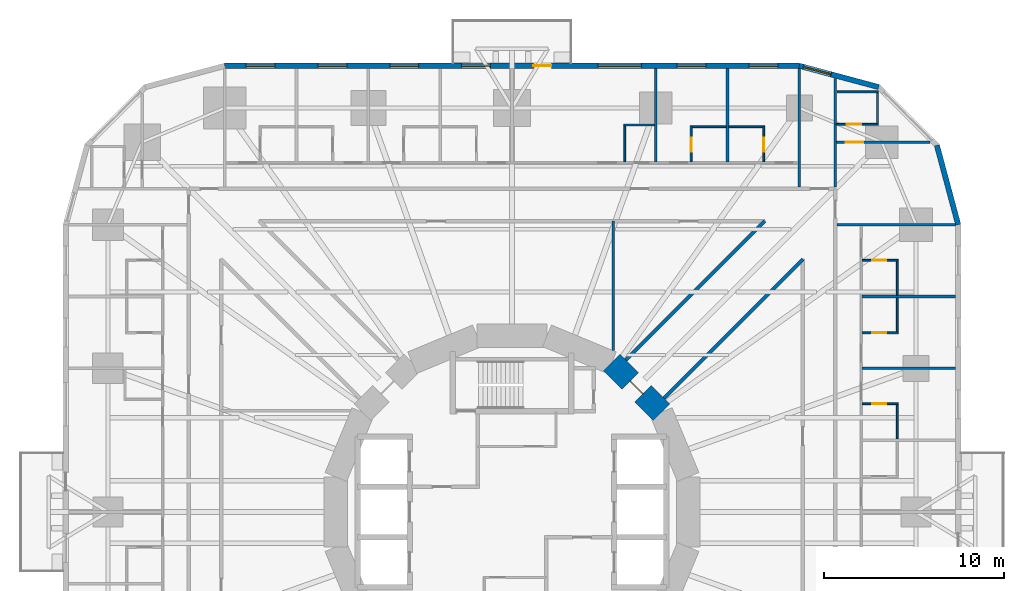
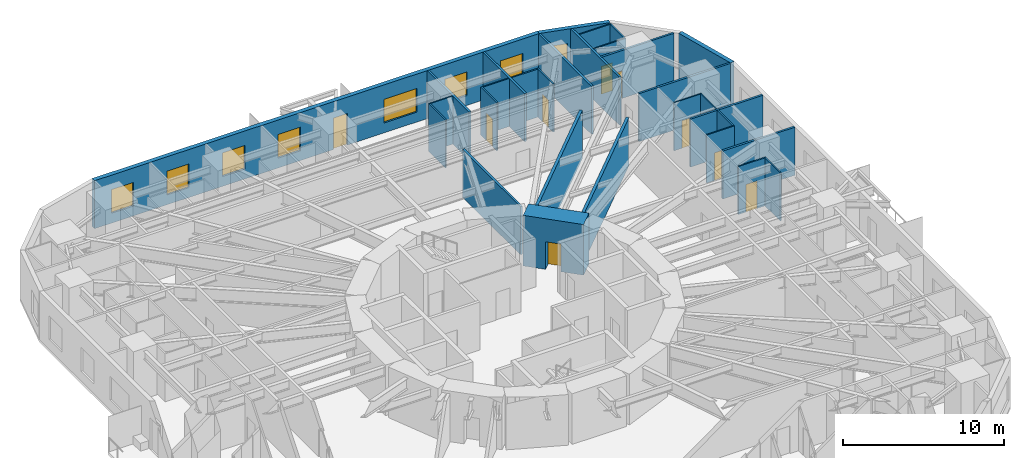
# One storey, part 11 of 14: 30 walls, 9 doors, 8 windows, 17 openings.
"""IFC4 building model written with IfcOpenShell, lengths in metres."""

from ifc_helpers import new_model, si_unit, direction, frame, frame_2d, origin, place, context, subcontext, project, spatial, rectangle, extrude, material, layer, layer_set, type_object, element, fill, save


model = new_model("IFC4")

# Units and contexts
model_context = context("Model", 3, precision=1e-05, world=origin(), true_north=direction((0.0, 1.0)))
body_context = subcontext(model_context, "Body", "Model", "MODEL_VIEW")
ifc_project = project(units=[si_unit("LENGTHUNIT", "METRE"), si_unit("AREAUNIT", "SQUARE_METRE"), si_unit("VOLUMEUNIT", "CUBIC_METRE"), si_unit("PLANEANGLEUNIT", "RADIAN"), si_unit("MASSUNIT", "GRAM", prefix="KILO")], contexts=[model_context])

# Site, building, storey
site_placement = place(None, origin())
site = spatial("IfcSite", under=ifc_project, at=site_placement, CompositionType="ELEMENT")
building_placement = place(site_placement, origin())
building = spatial("IfcBuilding", under=site, at=building_placement, Name="Nakasero Lantern House", CompositionType="ELEMENT")
storey_placement = place(building_placement, frame((0.0, 0.0, 31.39990234375)))
storey = spatial("IfcBuildingStorey", under=building, at=storey_placement, Name="L07", CompositionType="ELEMENT", Elevation=31.39990234375)

# Wall, opening, door
ifc_material_1 = material(Name="Concrete C50/60", Category="concrete")
ifc_layer_1 = layer(ifc_material_1, 1.300048828125)
ifc_layer_set_1 = layer_set([ifc_layer_1], Name="Core wall 1300")
wall_type_1 = type_object("IfcWallType", Name="Core wall 1300", PredefinedType="SHEAR", material=ifc_layer_set_1)
wall_1_placement = place(storey_placement, frame((8.314697265625, 5.5556640625, 0.0), z_axis=(0.0, 0.0, 1.0), x_axis=(-0.707106781187, 0.707106781187, 0.0)))
wall_1 = element("IfcWall", 1, at=wall_1_placement, inside=storey, type_object=wall_type_1, Name="Core wall L07 facet 2", PredefinedType="SHEAR", context=body_context, shape_type="SweptSolid", body=[
    extrude(rectangle(XDim=3.90185546875, YDim=1.300048828125, at=frame_2d((1.950927734375, 0.0))), origin(), (0.0, 0.0, 1.0), 3.85009765625),
])
opening_1_placement = place(wall_1_placement, frame((1.450927734375, 0.0, 0.0)))
opening_1 = element("IfcOpeningElement", 2, at=opening_1_placement, cuts=wall_1, Name="Opening D05", PredefinedType="OPENING", context=body_context, shape_type="SweptSolid", body=[
    extrude(rectangle(XDim=1.0, YDim=2.10009765625, at=frame_2d((0.5, 1.050048828125))), frame((0.0, 0.669921875, 0.0), z_axis=(0.0, -1.0, 0.0), x_axis=(1.0, 0.0, 0.0)), (0.0, 0.0, 1.0), 1.340087890625),
])
ifc_material_2 = material(Name="Timber C24", Category="wood")
door_type_1 = type_object("IfcDoorType", Name="Core door FD60S 1000", OperationType="SINGLE_SWING_LEFT", PredefinedType="DOOR", material=ifc_material_2)
door_1_placement = place(opening_1_placement, origin())
door_1 = element("IfcDoor", 3, at=door_1_placement, inside=storey, type_object=door_type_1, Name="Door L07 D-CORE02", OperationType="SINGLE_SWING_LEFT", OverallHeight=2.10009765625, OverallWidth=1.0, PredefinedType="DOOR", context=body_context, shape_type="SweptSolid", body=[
    extrude(rectangle(XDim=1.0, YDim=2.10009765625, at=frame_2d((0.5, 1.050048828125))), frame((0.0, 0.02490234375, 0.0), z_axis=(0.0, -1.0, 0.0), x_axis=(1.0, 0.0, 0.0)), (0.0, 0.0, 1.0), 0.050048828125),
])
fill(opening_1, door_1)

# Walls
ifc_material_3 = material(Name="Blockwork", Category="masonry")
ifc_layer_2 = layer(ifc_material_3, 0.199951171875)
ifc_layer_set_2 = layer_set([ifc_layer_2], Name="Corridor wall 200")
wall_type_2 = type_object("IfcWallType", Name="Corridor wall 200", PredefinedType="PARTITIONING", material=ifc_layer_set_2)
for number, where, z_axis, x_axis, name in (
    (4, (6.334228515625, 8.45556640625, 0.0), (0.0, 0.0, 1.0), (0.707106781187, 0.707106781187, 0.0), "Corridor wall L07 PS02a"),
    (5, (8.45556640625, 6.334228515625, 0.0), (0.0, 0.0, 1.0), (0.707106781187, 0.707106781187, 0.0), "Corridor wall L07 PS02b"),
):
    element("IfcWall", number, at=place(storey_placement, frame(where, z_axis=z_axis, x_axis=x_axis)), inside=storey, type_object=wall_type_2, Name=name, PredefinedType="PARTITIONING", context=body_context, shape_type="SweptSolid", body=[
        extrude(rectangle(XDim=10.9521484375, YDim=0.199951171875, at=frame_2d((5.47607421875, 0.0))), origin(), (0.0, 0.0, 1.0), 3.650146484375),
    ])

# Wall, opening, door
ifc_material_4 = material(Name="Blockwork", Category="masonry")
ifc_layer_3 = layer(ifc_material_4, 0.10009765625)
ifc_layer_set_3 = layer_set([ifc_layer_3], Name="En-suite wall 100")
wall_type_3 = type_object("IfcWallType", Name="En-suite wall 100", PredefinedType="PARTITIONING", material=ifc_layer_set_3)
wall_2_placement = place(storey_placement, frame((19.5, 6.02490234375, 0.0), z_axis=(0.0, 0.0, 1.0), x_axis=(1.0, 0.0, 0.0)))
wall_2 = element("IfcWall", 6, at=wall_2_placement, inside=storey, type_object=wall_type_3, Name="En-suite wall L07 ES0-06", PredefinedType="PARTITIONING", context=body_context, shape_type="SweptSolid", body=[
    extrude(rectangle(XDim=2.0, YDim=0.10009765625, at=frame_2d((1.0, 0.0))), origin(), (0.0, 0.0, 1.0), 3.650146484375),
])
opening_2_placement = place(wall_2_placement, frame((0.550048828125, 0.0, 0.0)))
opening_2 = element("IfcOpeningElement", 7, at=opening_2_placement, cuts=wall_2, Name="Opening D02", PredefinedType="OPENING", context=body_context, shape_type="SweptSolid", body=[
    extrude(rectangle(XDim=0.800048828125, YDim=2.10009765625, at=frame_2d((0.39990234375, 1.050048828125))), frame((0.0, 0.070068359375, 0.0), z_axis=(0.0, -1.0, 0.0), x_axis=(1.0, 0.0, 0.0)), (0.0, 0.0, 1.0), 0.14013671875),
])
ifc_material_5 = material(Name="Timber C24", Category="wood")
door_type_2 = type_object("IfcDoorType", Name="En-suite door 800", OperationType="SINGLE_SWING_RIGHT", PredefinedType="DOOR", material=ifc_material_5)
door_2_placement = place(opening_2_placement, origin())
door_2 = element("IfcDoor", 8, at=door_2_placement, inside=storey, type_object=door_type_2, Name="Door L07 DE0-06", OperationType="SINGLE_SWING_LEFT", OverallHeight=2.10009765625, OverallWidth=0.800048828125, PredefinedType="DOOR", context=body_context, shape_type="SweptSolid", body=[
    extrude(rectangle(XDim=0.800048828125, YDim=2.10009765625, at=frame_2d((0.39990234375, 1.050048828125))), frame((0.0, 0.02490234375, 0.0), z_axis=(0.0, -1.0, 0.0), x_axis=(1.0, 0.0, 0.0)), (0.0, 0.0, 1.0), 0.050048828125),
])
fill(opening_2, door_2)

# Wall
wall_3_placement = place(storey_placement, frame((21.449951171875, 4.074951171875, 0.0), z_axis=(0.0, 0.0, 1.0), x_axis=(0.0, 1.0, 0.0)))
element("IfcWall", 9, at=wall_3_placement, inside=storey, type_object=wall_type_3, Name="En-suite wall L07 EE0-06", PredefinedType="PARTITIONING", context=body_context, shape_type="SweptSolid", body=[
    extrude(rectangle(XDim=1.900146484375, YDim=0.10009765625, at=frame_2d((0.9501953125, 0.0))), origin(), (0.0, 0.0, 1.0), 3.650146484375),
])

# Wall, opening, door
wall_4_placement = place(storey_placement, frame((19.5, 9.97509765625, 0.0), z_axis=(0.0, 0.0, 1.0), x_axis=(1.0, 0.0, 0.0)))
wall_4 = element("IfcWall", 10, at=wall_4_placement, inside=storey, type_object=wall_type_3, Name="En-suite wall L07 ES0-07", PredefinedType="PARTITIONING", context=body_context, shape_type="SweptSolid", body=[
    extrude(rectangle(XDim=2.0, YDim=0.10009765625, at=frame_2d((1.0, 0.0))), origin(), (0.0, 0.0, 1.0), 3.650146484375),
])
opening_3_placement = place(wall_4_placement, frame((0.550048828125, 0.0, 0.0)))
opening_3 = element("IfcOpeningElement", 11, at=opening_3_placement, cuts=wall_4, Name="Opening D02", PredefinedType="OPENING", context=body_context, shape_type="SweptSolid", body=[
    extrude(rectangle(XDim=0.800048828125, YDim=2.10009765625, at=frame_2d((0.39990234375, 1.050048828125))), frame((0.0, 0.070068359375, 0.0), z_axis=(0.0, -1.0, 0.0), x_axis=(1.0, 0.0, 0.0)), (0.0, 0.0, 1.0), 0.14013671875),
])
door_3_placement = place(opening_3_placement, origin())
door_3 = element("IfcDoor", 12, at=door_3_placement, inside=storey, type_object=door_type_2, Name="Door L07 DE0-07", OperationType="SINGLE_SWING_LEFT", OverallHeight=2.10009765625, OverallWidth=0.800048828125, PredefinedType="DOOR", context=body_context, shape_type="SweptSolid", body=[
    extrude(rectangle(XDim=0.800048828125, YDim=2.10009765625, at=frame_2d((0.39990234375, 1.050048828125))), frame((0.0, 0.02490234375, 0.0), z_axis=(0.0, -1.0, 0.0), x_axis=(1.0, 0.0, 0.0)), (0.0, 0.0, 1.0), 0.050048828125),
])
fill(opening_3, door_3)

# Wall
wall_5_placement = place(storey_placement, frame((21.449951171875, 10.02490234375, 0.0), z_axis=(0.0, 0.0, 1.0), x_axis=(0.0, 1.0, 0.0)))
element("IfcWall", 13, at=wall_5_placement, inside=storey, type_object=wall_type_3, Name="En-suite wall L07 EE0-07", PredefinedType="PARTITIONING", context=body_context, shape_type="SweptSolid", body=[
    extrude(rectangle(XDim=1.900146484375, YDim=0.10009765625, at=frame_2d((0.9501953125, 0.0))), origin(), (0.0, 0.0, 1.0), 3.650146484375),
])

# Wall, opening, door
wall_6_placement = place(storey_placement, frame((19.5, 14.02490234375, 0.0), z_axis=(0.0, 0.0, 1.0), x_axis=(1.0, 0.0, 0.0)))
wall_6 = element("IfcWall", 14, at=wall_6_placement, inside=storey, type_object=wall_type_3, Name="En-suite wall L07 ES0-08", PredefinedType="PARTITIONING", context=body_context, shape_type="SweptSolid", body=[
    extrude(rectangle(XDim=2.0, YDim=0.10009765625, at=frame_2d((1.0, 0.0))), origin(), (0.0, 0.0, 1.0), 3.650146484375),
])
opening_4_placement = place(wall_6_placement, frame((0.550048828125, 0.0, 0.0)))
opening_4 = element("IfcOpeningElement", 15, at=opening_4_placement, cuts=wall_6, Name="Opening D02", PredefinedType="OPENING", context=body_context, shape_type="SweptSolid", body=[
    extrude(rectangle(XDim=0.800048828125, YDim=2.10009765625, at=frame_2d((0.39990234375, 1.050048828125))), frame((0.0, 0.070068359375, 0.0), z_axis=(0.0, -1.0, 0.0), x_axis=(1.0, 0.0, 0.0)), (0.0, 0.0, 1.0), 0.14013671875),
])
door_4_placement = place(opening_4_placement, origin())
door_4 = element("IfcDoor", 16, at=door_4_placement, inside=storey, type_object=door_type_2, Name="Door L07 DE0-08", OperationType="SINGLE_SWING_LEFT", OverallHeight=2.10009765625, OverallWidth=0.800048828125, PredefinedType="DOOR", context=body_context, shape_type="SweptSolid", body=[
    extrude(rectangle(XDim=0.800048828125, YDim=2.10009765625, at=frame_2d((0.39990234375, 1.050048828125))), frame((0.0, 0.02490234375, 0.0), z_axis=(0.0, -1.0, 0.0), x_axis=(1.0, 0.0, 0.0)), (0.0, 0.0, 1.0), 0.050048828125),
])
fill(opening_4, door_4)

# Wall
wall_7_placement = place(storey_placement, frame((21.449951171875, 12.074951171875, 0.0), z_axis=(0.0, 0.0, 1.0), x_axis=(0.0, 1.0, 0.0)))
element("IfcWall", 17, at=wall_7_placement, inside=storey, type_object=wall_type_3, Name="En-suite wall L07 EE0-08", PredefinedType="PARTITIONING", context=body_context, shape_type="SweptSolid", body=[
    extrude(rectangle(XDim=1.900146484375, YDim=0.10009765625, at=frame_2d((0.9501953125, 0.0))), origin(), (0.0, 0.0, 1.0), 3.650146484375),
])

# Wall, opening, door
wall_8_placement = place(storey_placement, frame((18.06494140625, 21.59619140625, 0.0), z_axis=(0.0, 0.0, 1.0), x_axis=(1.0, 0.0, 0.0)))
wall_8 = element("IfcWall", 18, at=wall_8_placement, inside=storey, type_object=wall_type_3, Name="En-suite wall L07 ES0-09", PredefinedType="PARTITIONING", context=body_context, shape_type="SweptSolid", body=[
    extrude(rectangle(XDim=2.3349609375, YDim=0.10009765625, at=frame_2d((1.16748046875, 0.0))), origin(), (0.0, 0.0, 1.0), 3.650146484375),
])
opening_5_placement = place(wall_8_placement, frame((0.5849609375, 0.0, 0.0)))
opening_5 = element("IfcOpeningElement", 19, at=opening_5_placement, cuts=wall_8, Name="Opening D02", PredefinedType="OPENING", context=body_context, shape_type="SweptSolid", body=[
    extrude(rectangle(XDim=0.800048828125, YDim=2.10009765625, at=frame_2d((0.39990234375, 1.050048828125))), frame((0.0, 0.070068359375, 0.0), z_axis=(0.0, -1.0, 0.0), x_axis=(1.0, 0.0, 0.0)), (0.0, 0.0, 1.0), 0.14013671875),
])
door_5_placement = place(opening_5_placement, origin())
door_5 = element("IfcDoor", 20, at=door_5_placement, inside=storey, type_object=door_type_2, Name="Door L07 DE0-09", OperationType="SINGLE_SWING_LEFT", OverallHeight=2.10009765625, OverallWidth=0.800048828125, PredefinedType="DOOR", context=body_context, shape_type="SweptSolid", body=[
    extrude(rectangle(XDim=0.800048828125, YDim=2.10009765625, at=frame_2d((0.39990234375, 1.050048828125))), frame((0.0, 0.02490234375, 0.0), z_axis=(0.0, -1.0, 0.0), x_axis=(1.0, 0.0, 0.0)), (0.0, 0.0, 1.0), 0.050048828125),
])
fill(opening_5, door_5)

# Walls
wall_9_placement = place(storey_placement, frame((20.35009765625, 21.646240234375, 0.0), z_axis=(0.0, 0.0, 1.0), x_axis=(0.0, 1.0, 0.0)))
element("IfcWall", 21, at=wall_9_placement, inside=storey, type_object=wall_type_3, Name="En-suite wall L07 EE0-09", PredefinedType="PARTITIONING", context=body_context, shape_type="SweptSolid", body=[
    extrude(rectangle(XDim=1.699951171875, YDim=0.10009765625, at=frame_2d((0.85009765625, 0.0))), origin(), (0.0, 0.0, 1.0), 3.650146484375),
])
wall_10_placement = place(storey_placement, frame((18.10009765625, 23.396240234375, 0.0), z_axis=(0.0, 0.0, 1.0), x_axis=(1.0, 0.0, 0.0)))
element("IfcWall", 22, at=wall_10_placement, inside=storey, type_object=wall_type_3, Name="En-suite wall L07 EV0-09", PredefinedType="PARTITIONING", context=body_context, shape_type="SweptSolid", body=[
    extrude(rectangle(XDim=2.2998046875, YDim=0.10009765625, at=frame_2d((1.14990234375, 0.0))), origin(), (0.0, 0.0, 1.0), 3.650146484375),
])
wall_11_placement = place(storey_placement, frame((6.27490234375, 19.5, 0.0), z_axis=(0.0, 0.0, 1.0), x_axis=(0.0, 1.0, 0.0)))
element("IfcWall", 23, at=wall_11_placement, inside=storey, type_object=wall_type_3, Name="En-suite wall L07 SS1-0", PredefinedType="PARTITIONING", context=body_context, shape_type="SweptSolid", body=[
    extrude(rectangle(XDim=2.10009765625, YDim=0.10009765625, at=frame_2d((1.050048828125, 0.0))), origin(), (0.0, 0.0, 1.0), 3.650146484375),
])
wall_12_placement = place(storey_placement, frame((7.925048828125, 21.550048828125, 0.0), z_axis=(0.0, 0.0, 1.0), x_axis=(-1.0, 0.0, 0.0)))
element("IfcWall", 24, at=wall_12_placement, inside=storey, type_object=wall_type_3, Name="En-suite wall L07 SE1-0", PredefinedType="PARTITIONING", context=body_context, shape_type="SweptSolid", body=[
    extrude(rectangle(XDim=1.699951171875, YDim=0.10009765625, at=frame_2d((0.85009765625, 0.0))), origin(), (0.0, 0.0, 1.0), 3.650146484375),
])

# Wall, opening, door
wall_13_placement = place(storey_placement, frame((14.02490234375, 19.5, 0.0), z_axis=(0.0, 0.0, 1.0), x_axis=(0.0, 1.0, 0.0)))
wall_13 = element("IfcWall", 25, at=wall_13_placement, inside=storey, type_object=wall_type_3, Name="En-suite wall L07 ES1-01", PredefinedType="PARTITIONING", context=body_context, shape_type="SweptSolid", body=[
    extrude(rectangle(XDim=2.0, YDim=0.10009765625, at=frame_2d((1.0, 0.0))), origin(), (0.0, 0.0, 1.0), 3.650146484375),
])
opening_6_placement = place(wall_13_placement, frame((0.550048828125, 0.0, 0.0)))
opening_6 = element("IfcOpeningElement", 26, at=opening_6_placement, cuts=wall_13, Name="Opening D02", PredefinedType="OPENING", context=body_context, shape_type="SweptSolid", body=[
    extrude(rectangle(XDim=0.800048828125, YDim=2.10009765625, at=frame_2d((0.39990234375, 1.050048828125))), frame((0.0, 0.070068359375, 0.0), z_axis=(0.0, -1.0, 0.0), x_axis=(1.0, 0.0, 0.0)), (0.0, 0.0, 1.0), 0.14013671875),
])
door_6_placement = place(opening_6_placement, origin())
door_6 = element("IfcDoor", 27, at=door_6_placement, inside=storey, type_object=door_type_2, Name="Door L07 DE1-01", OperationType="SINGLE_SWING_LEFT", OverallHeight=2.10009765625, OverallWidth=0.800048828125, PredefinedType="DOOR", context=body_context, shape_type="SweptSolid", body=[
    extrude(rectangle(XDim=0.800048828125, YDim=2.10009765625, at=frame_2d((0.39990234375, 1.050048828125))), frame((0.0, 0.02490234375, 0.0), z_axis=(0.0, -1.0, 0.0), x_axis=(1.0, 0.0, 0.0)), (0.0, 0.0, 1.0), 0.050048828125),
])
fill(opening_6, door_6)

# Wall
wall_14_placement = place(storey_placement, frame((13.97509765625, 21.449951171875, 0.0), z_axis=(0.0, 0.0, 1.0), x_axis=(-1.0, 0.0, 0.0)))
element("IfcWall", 28, at=wall_14_placement, inside=storey, type_object=wall_type_3, Name="En-suite wall L07 EE1-01", PredefinedType="PARTITIONING", context=body_context, shape_type="SweptSolid", body=[
    extrude(rectangle(XDim=1.900146484375, YDim=0.10009765625, at=frame_2d((0.9501953125, 0.0))), origin(), (0.0, 0.0, 1.0), 3.650146484375),
])

# Wall, opening, door
wall_15_placement = place(storey_placement, frame((9.97509765625, 19.5, 0.0), z_axis=(0.0, 0.0, 1.0), x_axis=(0.0, 1.0, 0.0)))
wall_15 = element("IfcWall", 29, at=wall_15_placement, inside=storey, type_object=wall_type_3, Name="En-suite wall L07 ES1-02", PredefinedType="PARTITIONING", context=body_context, shape_type="SweptSolid", body=[
    extrude(rectangle(XDim=2.0, YDim=0.10009765625, at=frame_2d((1.0, 0.0))), origin(), (0.0, 0.0, 1.0), 3.650146484375),
])
opening_7_placement = place(wall_15_placement, frame((0.550048828125, 0.0, 0.0)))
opening_7 = element("IfcOpeningElement", 30, at=opening_7_placement, cuts=wall_15, Name="Opening D02", PredefinedType="OPENING", context=body_context, shape_type="SweptSolid", body=[
    extrude(rectangle(XDim=0.800048828125, YDim=2.10009765625, at=frame_2d((0.39990234375, 1.050048828125))), frame((0.0, 0.070068359375, 0.0), z_axis=(0.0, -1.0, 0.0), x_axis=(1.0, 0.0, 0.0)), (0.0, 0.0, 1.0), 0.14013671875),
])
door_7_placement = place(opening_7_placement, origin())
door_7 = element("IfcDoor", 31, at=door_7_placement, inside=storey, type_object=door_type_2, Name="Door L07 DE1-02", OperationType="SINGLE_SWING_LEFT", OverallHeight=2.10009765625, OverallWidth=0.800048828125, PredefinedType="DOOR", context=body_context, shape_type="SweptSolid", body=[
    extrude(rectangle(XDim=0.800048828125, YDim=2.10009765625, at=frame_2d((0.39990234375, 1.050048828125))), frame((0.0, 0.02490234375, 0.0), z_axis=(0.0, -1.0, 0.0), x_axis=(1.0, 0.0, 0.0)), (0.0, 0.0, 1.0), 0.050048828125),
])
fill(opening_7, door_7)

# Walls
wall_16_placement = place(storey_placement, frame((11.925048828125, 21.449951171875, 0.0), z_axis=(0.0, 0.0, 1.0), x_axis=(-1.0, 0.0, 0.0)))
element("IfcWall", 32, at=wall_16_placement, inside=storey, type_object=wall_type_3, Name="En-suite wall L07 EE1-02", PredefinedType="PARTITIONING", context=body_context, shape_type="SweptSolid", body=[
    extrude(rectangle(XDim=1.900146484375, YDim=0.10009765625, at=frame_2d((0.9501953125, 0.0))), origin(), (0.0, 0.0, 1.0), 3.650146484375),
])
ifc_material_6 = material(Name="Aluminium rainscreen on blockwork", Category="masonry")
ifc_layer_4 = layer(ifc_material_6, 0.300048828125)
ifc_layer_set_4 = layer_set([ifc_layer_4], Name="Facade wall 300")
wall_type_4 = type_object("IfcWallType", Name="Facade wall 300", PredefinedType="SOLIDWALL", material=ifc_layer_set_4)
wall_17_placement = place(storey_placement, frame((24.85009765625, 16.0, 0.0), z_axis=(0.0, 0.0, 1.0), x_axis=(-0.258839972501, 0.965920218567, 0.0)))
element("IfcWall", 33, at=wall_17_placement, inside=storey, type_object=wall_type_4, Name="Facade wall L07 FW0C1", PredefinedType="SOLIDWALL", context=body_context, shape_type="SweptSolid", body=[
    extrude(rectangle(XDim=4.5810546875, YDim=0.300048828125, at=frame_2d((2.29052734375, 0.0))), origin(), (0.0, 0.0, 1.0), 3.650146484375),
])

# Wall, opening, window
wall_18_placement = place(storey_placement, frame((20.425048828125, 23.664306640625, 0.0), z_axis=(0.0, 0.0, 1.0), x_axis=(-0.965920218567, 0.258839972501, 0.0)))
wall_18 = element("IfcWall", 34, at=wall_18_placement, inside=storey, type_object=wall_type_4, Name="Facade wall L07 FW0C3", PredefinedType="SOLIDWALL", context=body_context, shape_type="SweptSolid", body=[
    extrude(rectangle(XDim=4.5810546875, YDim=0.300048828125, at=frame_2d((2.29052734375, 0.0))), origin(), (0.0, 0.0, 1.0), 3.650146484375),
])
opening_8_placement = place(wall_18_placement, frame((2.74609375, 0.0, 0.75)))
opening_8 = element("IfcOpeningElement", 35, at=opening_8_placement, cuts=wall_18, Name="Opening W01", PredefinedType="OPENING", context=body_context, shape_type="SweptSolid", body=[
    extrude(rectangle(XDim=1.60009765625, YDim=1.800048828125, at=frame_2d((0.800048828125, 0.89990234375))), frame((0.0, 0.169921875, 0.0), z_axis=(0.0, -1.0, 0.0), x_axis=(1.0, 0.0, 0.0)), (0.0, 0.0, 1.0), 0.340087890625),
])
ifc_material_7 = material(Name="Aluminium 6063-T6 and glass", Category="aluminium")
window_type_1 = type_object("IfcWindowType", Name="Bedroom window 1600x1800", PartitioningType="SINGLE_PANEL", PredefinedType="WINDOW", material=ifc_material_7)
window_1_placement = place(opening_8_placement, origin())
window_1 = element("IfcWindow", 36, at=window_1_placement, inside=storey, type_object=window_type_1, Name="Window L07 WN1-00", OverallHeight=1.800048828125, OverallWidth=1.60009765625, PartitioningType="SINGLE_PANEL", PredefinedType="WINDOW", context=body_context, shape_type="SweptSolid", body=[
    extrude(rectangle(XDim=1.60009765625, YDim=1.800048828125, at=frame_2d((0.800048828125, 0.89990234375))), frame((0.0, 0.030029296875, 0.0), z_axis=(0.0, -1.0, 0.0), x_axis=(1.0, 0.0, 0.0)), (0.0, 0.0, 1.0), 0.06005859375),
])
fill(opening_8, window_1)

# Wall, openings, door, windows
wall_19_placement = place(storey_placement, frame((16.0, 24.85009765625, 0.0), z_axis=(0.0, 0.0, 1.0), x_axis=(-1.0, 0.0, 0.0)))
wall_19 = element("IfcWall", 37, at=wall_19_placement, inside=storey, type_object=wall_type_4, Name="Facade wall L07 FW1S", PredefinedType="SOLIDWALL", context=body_context, shape_type="SweptSolid", body=[
    extrude(rectangle(XDim=32.0, YDim=0.300048828125, at=frame_2d((16.0, 0.0))), origin(), (0.0, 0.0, 1.0), 3.650146484375),
])
opening_9_placement = place(wall_19_placement, frame((1.199951171875, 0.0, 0.75)))
opening_9 = element("IfcOpeningElement", 38, at=opening_9_placement, cuts=wall_19, Name="Opening W01", PredefinedType="OPENING", context=body_context, shape_type="SweptSolid", body=[
    extrude(rectangle(XDim=1.60009765625, YDim=1.800048828125, at=frame_2d((0.800048828125, 0.89990234375))), frame((0.0, 0.169921875, 0.0), z_axis=(0.0, -1.0, 0.0), x_axis=(1.0, 0.0, 0.0)), (0.0, 0.0, 1.0), 0.340087890625),
])
opening_10_placement = place(wall_19_placement, frame((5.199951171875, 0.0, 0.75)))
opening_10 = element("IfcOpeningElement", 39, at=opening_10_placement, cuts=wall_19, Name="Opening W01", PredefinedType="OPENING", context=body_context, shape_type="SweptSolid", body=[
    extrude(rectangle(XDim=1.60009765625, YDim=1.800048828125, at=frame_2d((0.800048828125, 0.89990234375))), frame((0.0, 0.169921875, 0.0), z_axis=(0.0, -1.0, 0.0), x_axis=(1.0, 0.0, 0.0)), (0.0, 0.0, 1.0), 0.340087890625),
])
opening_11_placement = place(wall_19_placement, frame((17.199951171875, 0.0, 0.75)))
opening_11 = element("IfcOpeningElement", 40, at=opening_11_placement, cuts=wall_19, Name="Opening W01", PredefinedType="OPENING", context=body_context, shape_type="SweptSolid", body=[
    extrude(rectangle(XDim=1.60009765625, YDim=1.800048828125, at=frame_2d((0.800048828125, 0.89990234375))), frame((0.0, 0.169921875, 0.0), z_axis=(0.0, -1.0, 0.0), x_axis=(1.0, 0.0, 0.0)), (0.0, 0.0, 1.0), 0.340087890625),
])
opening_12_placement = place(wall_19_placement, frame((21.199951171875, 0.0, 0.75)))
opening_12 = element("IfcOpeningElement", 41, at=opening_12_placement, cuts=wall_19, Name="Opening W01", PredefinedType="OPENING", context=body_context, shape_type="SweptSolid", body=[
    extrude(rectangle(XDim=1.60009765625, YDim=1.800048828125, at=frame_2d((0.800048828125, 0.89990234375))), frame((0.0, 0.169921875, 0.0), z_axis=(0.0, -1.0, 0.0), x_axis=(1.0, 0.0, 0.0)), (0.0, 0.0, 1.0), 0.340087890625),
])
opening_13_placement = place(wall_19_placement, frame((25.199951171875, 0.0, 0.75)))
opening_13 = element("IfcOpeningElement", 42, at=opening_13_placement, cuts=wall_19, Name="Opening W01", PredefinedType="OPENING", context=body_context, shape_type="SweptSolid", body=[
    extrude(rectangle(XDim=1.60009765625, YDim=1.800048828125, at=frame_2d((0.800048828125, 0.89990234375))), frame((0.0, 0.169921875, 0.0), z_axis=(0.0, -1.0, 0.0), x_axis=(1.0, 0.0, 0.0)), (0.0, 0.0, 1.0), 0.340087890625),
])
opening_14_placement = place(wall_19_placement, frame((29.199951171875, 0.0, 0.75)))
opening_14 = element("IfcOpeningElement", 43, at=opening_14_placement, cuts=wall_19, Name="Opening W01", PredefinedType="OPENING", context=body_context, shape_type="SweptSolid", body=[
    extrude(rectangle(XDim=1.60009765625, YDim=1.800048828125, at=frame_2d((0.800048828125, 0.89990234375))), frame((0.0, 0.169921875, 0.0), z_axis=(0.0, -1.0, 0.0), x_axis=(1.0, 0.0, 0.0)), (0.0, 0.0, 1.0), 0.340087890625),
])
opening_15_placement = place(wall_19_placement, frame((8.800048828125, 0.0, 0.75)))
opening_15 = element("IfcOpeningElement", 44, at=opening_15_placement, cuts=wall_19, Name="Opening W03", PredefinedType="OPENING", context=body_context, shape_type="SweptSolid", body=[
    extrude(rectangle(XDim=2.39990234375, YDim=1.800048828125, at=frame_2d((1.199951171875, 0.89990234375))), frame((0.0, 0.169921875, 0.0), z_axis=(0.0, -1.0, 0.0), x_axis=(1.0, 0.0, 0.0)), (0.0, 0.0, 1.0), 0.340087890625),
])
opening_16_placement = place(wall_19_placement, frame((13.8125, 0.0, 0.0)))
opening_16 = element("IfcOpeningElement", 45, at=opening_16_placement, cuts=wall_19, Name="Opening D04", PredefinedType="OPENING", context=body_context, shape_type="SweptSolid", body=[
    extrude(rectangle(XDim=1.0, YDim=2.39990234375, at=frame_2d((0.5, 1.199951171875))), frame((0.0, 0.169921875, 0.0), z_axis=(0.0, -1.0, 0.0), x_axis=(1.0, 0.0, 0.0)), (0.0, 0.0, 1.0), 0.340087890625),
])
ifc_material_8 = material(Name="Aluminium 6063-T6 and glass", Category="aluminium")
door_type_3 = type_object("IfcDoorType", Name="Balcony door 1000x2400", OperationType="SINGLE_SWING_RIGHT", PredefinedType="DOOR", material=ifc_material_8)
door_8_placement = place(opening_16_placement, origin())
door_8 = element("IfcDoor", 46, at=door_8_placement, inside=storey, type_object=door_type_3, Name="Balcony door L07 DB1", OperationType="SINGLE_SWING_RIGHT", OverallHeight=2.39990234375, OverallWidth=1.0, PredefinedType="DOOR", context=body_context, shape_type="SweptSolid", body=[
    extrude(rectangle(XDim=1.0, YDim=2.39990234375, at=frame_2d((0.5, 1.199951171875))), frame((0.0, 0.02490234375, 0.0), z_axis=(0.0, -1.0, 0.0), x_axis=(1.0, 0.0, 0.0)), (0.0, 0.0, 1.0), 0.050048828125),
])
fill(opening_16, door_8)
window_2_placement = place(opening_9_placement, origin())
window_2 = element("IfcWindow", 47, at=window_2_placement, inside=storey, type_object=window_type_1, Name="Window L07 WN1-01", OverallHeight=1.800048828125, OverallWidth=1.60009765625, PartitioningType="SINGLE_PANEL", PredefinedType="WINDOW", context=body_context, shape_type="SweptSolid", body=[
    extrude(rectangle(XDim=1.60009765625, YDim=1.800048828125, at=frame_2d((0.800048828125, 0.89990234375))), frame((0.0, 0.030029296875, 0.0), z_axis=(0.0, -1.0, 0.0), x_axis=(1.0, 0.0, 0.0)), (0.0, 0.0, 1.0), 0.06005859375),
])
fill(opening_9, window_2)
window_3_placement = place(opening_10_placement, origin())
window_3 = element("IfcWindow", 48, at=window_3_placement, inside=storey, type_object=window_type_1, Name="Window L07 WN1-02", OverallHeight=1.800048828125, OverallWidth=1.60009765625, PartitioningType="SINGLE_PANEL", PredefinedType="WINDOW", context=body_context, shape_type="SweptSolid", body=[
    extrude(rectangle(XDim=1.60009765625, YDim=1.800048828125, at=frame_2d((0.800048828125, 0.89990234375))), frame((0.0, 0.030029296875, 0.0), z_axis=(0.0, -1.0, 0.0), x_axis=(1.0, 0.0, 0.0)), (0.0, 0.0, 1.0), 0.06005859375),
])
fill(opening_10, window_3)
window_4_placement = place(opening_11_placement, origin())
window_4 = element("IfcWindow", 49, at=window_4_placement, inside=storey, type_object=window_type_1, Name="Window L07 WN1-05", OverallHeight=1.800048828125, OverallWidth=1.60009765625, PartitioningType="SINGLE_PANEL", PredefinedType="WINDOW", context=body_context, shape_type="SweptSolid", body=[
    extrude(rectangle(XDim=1.60009765625, YDim=1.800048828125, at=frame_2d((0.800048828125, 0.89990234375))), frame((0.0, 0.030029296875, 0.0), z_axis=(0.0, -1.0, 0.0), x_axis=(1.0, 0.0, 0.0)), (0.0, 0.0, 1.0), 0.06005859375),
])
fill(opening_11, window_4)
window_5_placement = place(opening_12_placement, origin())
window_5 = element("IfcWindow", 50, at=window_5_placement, inside=storey, type_object=window_type_1, Name="Window L07 WN1-06", OverallHeight=1.800048828125, OverallWidth=1.60009765625, PartitioningType="SINGLE_PANEL", PredefinedType="WINDOW", context=body_context, shape_type="SweptSolid", body=[
    extrude(rectangle(XDim=1.60009765625, YDim=1.800048828125, at=frame_2d((0.800048828125, 0.89990234375))), frame((0.0, 0.030029296875, 0.0), z_axis=(0.0, -1.0, 0.0), x_axis=(1.0, 0.0, 0.0)), (0.0, 0.0, 1.0), 0.06005859375),
])
fill(opening_12, window_5)
window_6_placement = place(opening_13_placement, origin())
window_6 = element("IfcWindow", 51, at=window_6_placement, inside=storey, type_object=window_type_1, Name="Window L07 WN1-07", OverallHeight=1.800048828125, OverallWidth=1.60009765625, PartitioningType="SINGLE_PANEL", PredefinedType="WINDOW", context=body_context, shape_type="SweptSolid", body=[
    extrude(rectangle(XDim=1.60009765625, YDim=1.800048828125, at=frame_2d((0.800048828125, 0.89990234375))), frame((0.0, 0.030029296875, 0.0), z_axis=(0.0, -1.0, 0.0), x_axis=(1.0, 0.0, 0.0)), (0.0, 0.0, 1.0), 0.06005859375),
])
fill(opening_13, window_6)
window_7_placement = place(opening_14_placement, origin())
window_7 = element("IfcWindow", 52, at=window_7_placement, inside=storey, type_object=window_type_1, Name="Window L07 WN1-08", OverallHeight=1.800048828125, OverallWidth=1.60009765625, PartitioningType="SINGLE_PANEL", PredefinedType="WINDOW", context=body_context, shape_type="SweptSolid", body=[
    extrude(rectangle(XDim=1.60009765625, YDim=1.800048828125, at=frame_2d((0.800048828125, 0.89990234375))), frame((0.0, 0.030029296875, 0.0), z_axis=(0.0, -1.0, 0.0), x_axis=(1.0, 0.0, 0.0)), (0.0, 0.0, 1.0), 0.06005859375),
])
fill(opening_14, window_7)
ifc_material_9 = material(Name="Aluminium 6063-T6 and glass", Category="aluminium")
window_type_2 = type_object("IfcWindowType", Name="Lounge window 2400x1800", PartitioningType="SINGLE_PANEL", PredefinedType="WINDOW", material=ifc_material_9)
window_8_placement = place(opening_15_placement, origin())
window_8 = element("IfcWindow", 53, at=window_8_placement, inside=storey, type_object=window_type_2, Name="Window L07 WK1", OverallHeight=1.800048828125, OverallWidth=2.39990234375, PartitioningType="SINGLE_PANEL", PredefinedType="WINDOW", context=body_context, shape_type="SweptSolid", body=[
    extrude(rectangle(XDim=2.39990234375, YDim=1.800048828125, at=frame_2d((1.199951171875, 0.89990234375))), frame((0.0, 0.030029296875, 0.0), z_axis=(0.0, -1.0, 0.0), x_axis=(1.0, 0.0, 0.0)), (0.0, 0.0, 1.0), 0.06005859375),
])
fill(opening_15, window_8)

# Walls
ifc_material_10 = material(Name="Blockwork", Category="masonry")
ifc_layer_5 = layer(ifc_material_10, 0.14990234375)
ifc_layer_set_5 = layer_set([ifc_layer_5], Name="Party wall 150")
wall_type_5 = type_object("IfcWallType", Name="Party wall 150", PredefinedType="PARTITIONING", material=ifc_layer_set_5)
for number, where, z_axis, x_axis, name in (
    (54, (19.5, 8.0, 0.0), (0.0, 0.0, 1.0), (1.0, 0.0, 0.0), "Party wall L07 PW0-07"),
    (55, (19.5, 12.0, 0.0), (0.0, 0.0, 1.0), (1.0, 0.0, 0.0), "Party wall L07 PW0-08"),
):
    element("IfcWall", number, at=place(storey_placement, frame(where, z_axis=z_axis, x_axis=x_axis)), inside=storey, type_object=wall_type_5, Name=name, PredefinedType="PARTITIONING", context=body_context, shape_type="SweptSolid", body=[
        extrude(rectangle(XDim=5.199951171875, YDim=0.14990234375, at=frame_2d((2.60009765625, 0.0))), origin(), (0.0, 0.0, 1.0), 3.650146484375),
    ])
wall_20_placement = place(storey_placement, frame((18.10009765625, 16.0, 0.0), z_axis=(0.0, 0.0, 1.0), x_axis=(1.0, 0.0, 0.0)))
element("IfcWall", 56, at=wall_20_placement, inside=storey, type_object=wall_type_5, Name="Party wall L07 PW0-09", PredefinedType="PARTITIONING", context=body_context, shape_type="SweptSolid", body=[
    extrude(rectangle(XDim=6.58935546875, YDim=0.14990234375, at=frame_2d((3.294677734375, 0.0))), origin(), (0.0, 0.0, 1.0), 3.650146484375),
])

# Wall, opening, door
wall_21_placement = place(storey_placement, frame((18.06494140625, 20.59619140625, 0.0), z_axis=(0.0, 0.0, 1.0), x_axis=(1.0, 0.0, 0.0)))
wall_21 = element("IfcWall", 57, at=wall_21_placement, inside=storey, type_object=wall_type_5, Name="Party wall L07 PC0", PredefinedType="PARTITIONING", context=body_context, shape_type="SweptSolid", body=[
    extrude(rectangle(XDim=5.208740234375, YDim=0.14990234375, at=frame_2d((2.6044921875, 0.0))), origin(), (0.0, 0.0, 1.0), 3.650146484375),
])
opening_17_placement = place(wall_21_placement, frame((0.534912109375, 0.0, 0.0)))
opening_17 = element("IfcOpeningElement", 58, at=opening_17_placement, cuts=wall_21, Name="Opening D01", PredefinedType="OPENING", context=body_context, shape_type="SweptSolid", body=[
    extrude(rectangle(XDim=0.949951171875, YDim=2.10009765625, at=frame_2d((0.47509765625, 1.050048828125))), frame((0.0, 0.094970703125, 0.0), z_axis=(0.0, -1.0, 0.0), x_axis=(1.0, 0.0, 0.0)), (0.0, 0.0, 1.0), 0.18994140625),
])
ifc_material_11 = material(Name="Timber C24", Category="wood")
door_type_4 = type_object("IfcDoorType", Name="Bedroom door FD30S 950", OperationType="SINGLE_SWING_LEFT", PredefinedType="DOOR", material=ifc_material_11)
door_9_placement = place(opening_17_placement, origin())
door_9 = element("IfcDoor", 59, at=door_9_placement, inside=storey, type_object=door_type_4, Name="Door L07 DC0", OperationType="SINGLE_SWING_LEFT", OverallHeight=2.10009765625, OverallWidth=0.949951171875, PredefinedType="DOOR", context=body_context, shape_type="SweptSolid", body=[
    extrude(rectangle(XDim=0.949951171875, YDim=2.10009765625, at=frame_2d((0.47509765625, 1.050048828125))), frame((0.0, 0.02490234375, 0.0), z_axis=(0.0, -1.0, 0.0), x_axis=(1.0, 0.0, 0.0)), (0.0, 0.0, 1.0), 0.050048828125),
])
fill(opening_17, door_9)

# Walls
wall_22_placement = place(storey_placement, frame((18.0, 18.10009765625, 0.0), z_axis=(0.0, 0.0, 1.0), x_axis=(0.0, 1.0, 0.0)))
element("IfcWall", 60, at=wall_22_placement, inside=storey, type_object=wall_type_5, Name="Party wall L07 PW1-00", PredefinedType="PARTITIONING", context=body_context, shape_type="SweptSolid", body=[
    extrude(rectangle(XDim=6.053466796875, YDim=0.14990234375, at=frame_2d((3.02685546875, 0.0))), origin(), (0.0, 0.0, 1.0), 3.650146484375),
])
wall_23_placement = place(storey_placement, frame((16.0, 18.10009765625, 0.0), z_axis=(0.0, 0.0, 1.0), x_axis=(0.0, 1.0, 0.0)))
element("IfcWall", 61, at=wall_23_placement, inside=storey, type_object=wall_type_5, Name="Party wall L07 PW1-01", PredefinedType="PARTITIONING", context=body_context, shape_type="SweptSolid", body=[
    extrude(rectangle(XDim=6.58935546875, YDim=0.14990234375, at=frame_2d((3.294677734375, 0.0))), origin(), (0.0, 0.0, 1.0), 3.650146484375),
])
for number, where, z_axis, x_axis, name in (
    (62, (12.0, 19.5, 0.0), (0.0, 0.0, 1.0), (0.0, 1.0, 0.0), "Party wall L07 PW1-02"),
    (63, (8.0, 19.5, 0.0), (0.0, 0.0, 1.0), (0.0, 1.0, 0.0), "Party wall L07 PW1-03"),
):
    element("IfcWall", number, at=place(storey_placement, frame(where, z_axis=z_axis, x_axis=x_axis)), inside=storey, type_object=wall_type_5, Name=name, PredefinedType="PARTITIONING", context=body_context, shape_type="SweptSolid", body=[
        extrude(rectangle(XDim=5.199951171875, YDim=0.14990234375, at=frame_2d((2.60009765625, 0.0))), origin(), (0.0, 0.0, 1.0), 3.650146484375),
    ])
wall_24_placement = place(storey_placement, frame((5.631591796875, 8.98681640625, 0.0), z_axis=(0.0, 0.0, 1.0), x_axis=(0.0, 1.0, 0.0)))
element("IfcWall", 64, at=wall_24_placement, inside=storey, type_object=wall_type_5, Name="Party wall L07 IS2", PredefinedType="PARTITIONING", context=body_context, shape_type="SweptSolid", body=[
    extrude(rectangle(XDim=7.213134765625, YDim=0.14990234375, at=frame_2d((3.6064453125, 0.0))), origin(), (0.0, 0.0, 1.0), 3.650146484375),
])

save(model, "model.ifc")
